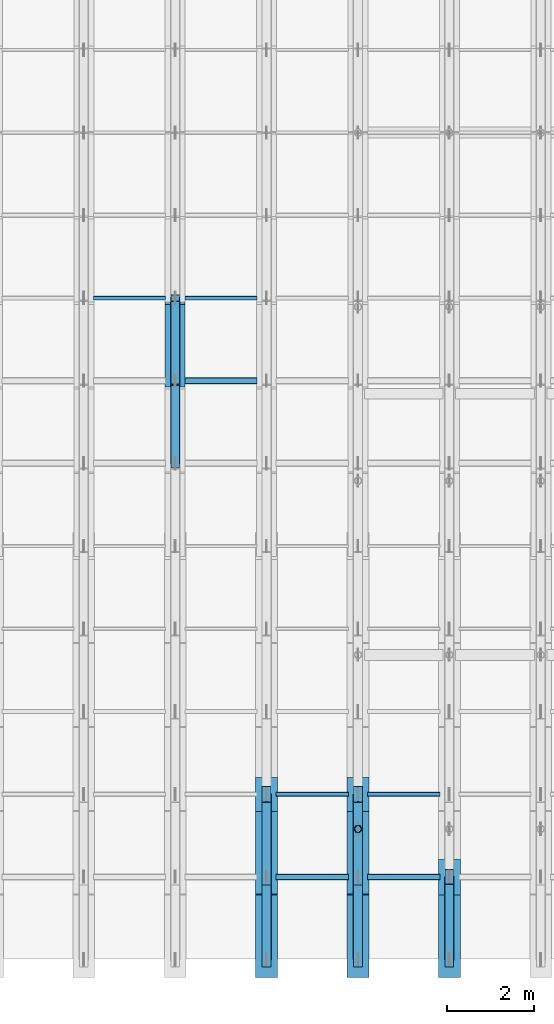
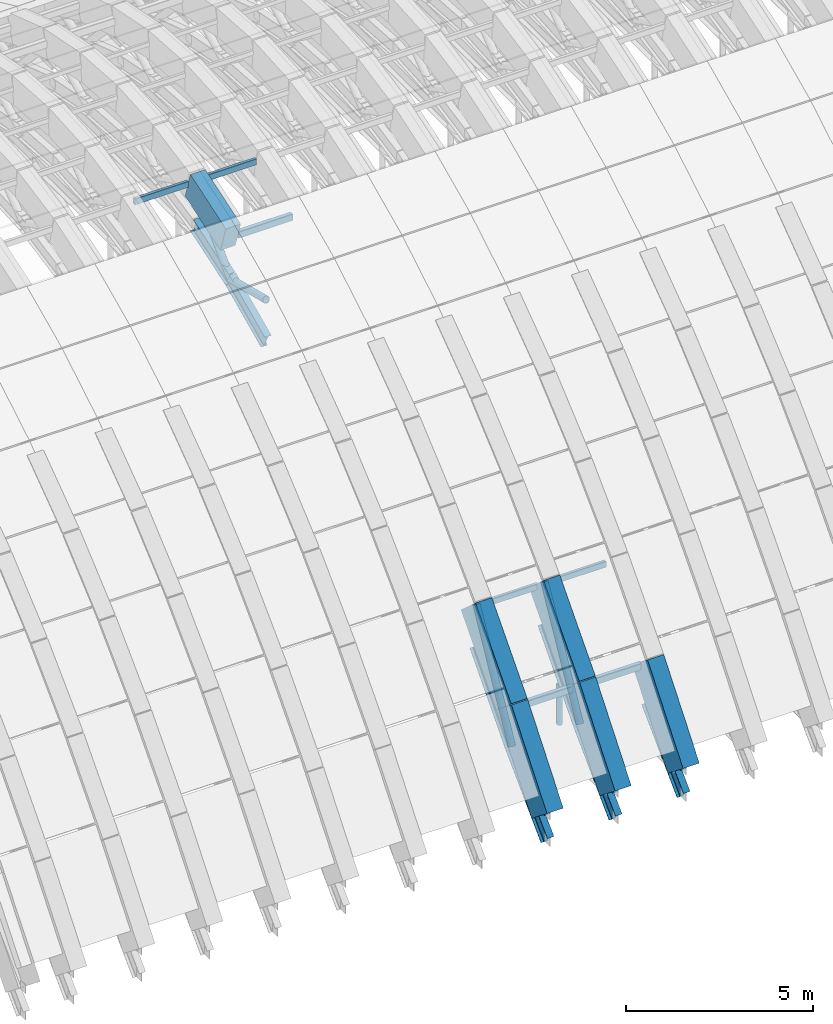
# One storey, part 5 of 67: 15 members, 13 beams.
"""IFC4 building model written with IfcOpenShell, lengths in metres."""

from ifc_helpers import new_model, si_unit, direction, frame, origin, origin_2d, place, context, subcontext, project, spatial, rectangle, hollow_rectangle, hollow_circle, i_section, extrude, material, material_profile, profile_set, type_object, element, save


model = new_model("IFC4")

# Units and contexts
model_context = context("Model", 3, precision=1e-05, world=origin(), true_north=direction((0.0, 1.0)))
body_context = subcontext(model_context, "Body", "Model", "MODEL_VIEW")
ifc_project = project(units=[si_unit("LENGTHUNIT", "METRE"), si_unit("AREAUNIT", "SQUARE_METRE"), si_unit("VOLUMEUNIT", "CUBIC_METRE"), si_unit("PLANEANGLEUNIT", "RADIAN"), si_unit("MASSUNIT", "GRAM", prefix="KILO")], contexts=[model_context])

# Site, building, storey
site_placement = place(None, origin())
site = spatial("IfcSite", under=ifc_project, at=site_placement, CompositionType="ELEMENT")
building_placement = place(site_placement, origin())
building = spatial("IfcBuilding", under=site, at=building_placement, Name="Shengluoqiao Park Theatre", CompositionType="ELEMENT")
storey_placement = place(building_placement, frame((0.0, 0.0, 28.60009765625)))
storey = spatial("IfcBuildingStorey", under=building, at=storey_placement, Name="Roof", CompositionType="ELEMENT", Elevation=28.60009765625)

# Beams
ifc_material_1 = material(Name="Concrete C50", Category="concrete")
ifc_material_profile_1 = material_profile(ifc_material_1, rectangle(XDim=0.4599609375, YDim=0.919921875, at=origin_2d()), Name="RC ARCH 460x920")
ifc_profile_set_1 = profile_set([ifc_material_profile_1], Name="Concrete C50")
beam_type_1 = type_object("IfcBeamType", Name="STR-BM-AR-4609", PredefinedType="BEAM", material=ifc_profile_set_1)
beam_1_placement = place(storey_placement, frame((59.10009765625, 89.300048828125, 1.44580078125), z_axis=(0.0, 0.949157901431, 0.314800378257), x_axis=(-1.0, 0.0, 0.0)))
element("IfcBeam", 1, at=beam_1_placement, inside=storey, type_object=beam_type_1, Name="Barrel-Shell Arch Rib R08-S08", PredefinedType="BEAM", context=body_context, shape_type="SweptSolid", body=[
    extrude(rectangle(XDim=0.4599609375, YDim=0.919921875, at=origin_2d()), origin(), (0.0, 0.0, 1.0), 2.001708984375),
])
ifc_material_profile_2 = material_profile(ifc_material_1, rectangle(XDim=0.5, YDim=1.050048828125, at=origin_2d()), Name="RC ARCH 500x1050")
ifc_profile_set_2 = profile_set([ifc_material_profile_2], Name="Concrete C50")
beam_type_2 = type_object("IfcBeamType", Name="STR-BM-AR-5010", PredefinedType="BEAM", material=ifc_profile_set_2)
beam_2_placement = place(storey_placement, frame((61.199951171875, 76.0, -10.02001953125), z_axis=(0.0, 0.621631409309, 0.783309894588), x_axis=(-1.0, 0.0, 0.0)))
element("IfcBeam", 2, at=beam_2_placement, inside=storey, type_object=beam_type_2, Name="Barrel-Shell Arch Rib R09-S01", PredefinedType="BEAM", context=body_context, shape_type="SweptSolid", body=[
    extrude(rectangle(XDim=0.5, YDim=1.050048828125, at=origin_2d()), origin(), (0.0, 0.0, 1.0), 3.056396484375),
])
beam_3_placement = place(storey_placement, frame((61.199951171875, 77.89990234375, -7.6259765625), z_axis=(0.0, 0.663638456789, 0.748053473136), x_axis=(-1.0, 0.0, 0.0)))
element("IfcBeam", 3, at=beam_3_placement, inside=storey, type_object=beam_type_2, Name="Barrel-Shell Arch Rib R09-S02", PredefinedType="BEAM", context=body_context, shape_type="SweptSolid", body=[
    extrude(rectangle(XDim=0.5, YDim=1.050048828125, at=origin_2d()), origin(), (0.0, 0.0, 1.0), 2.86328125),
])
beam_4_placement = place(storey_placement, frame((63.300048828125, 76.0, -10.02001953125), z_axis=(0.0, 0.621631409309, 0.783309894588), x_axis=(-1.0, 0.0, 0.0)))
element("IfcBeam", 4, at=beam_4_placement, inside=storey, type_object=beam_type_2, Name="Barrel-Shell Arch Rib R10-S01", PredefinedType="BEAM", context=body_context, shape_type="SweptSolid", body=[
    extrude(rectangle(XDim=0.5, YDim=1.050048828125, at=origin_2d()), origin(), (0.0, 0.0, 1.0), 3.056396484375),
])
beam_5_placement = place(storey_placement, frame((63.300048828125, 77.89990234375, -7.6259765625), z_axis=(0.0, 0.663638456789, 0.748053473136), x_axis=(-1.0, 0.0, 0.0)))
element("IfcBeam", 5, at=beam_5_placement, inside=storey, type_object=beam_type_2, Name="Barrel-Shell Arch Rib R10-S02", PredefinedType="BEAM", context=body_context, shape_type="SweptSolid", body=[
    extrude(rectangle(XDim=0.5, YDim=1.050048828125, at=origin_2d()), origin(), (0.0, 0.0, 1.0), 2.86328125),
])
beam_6_placement = place(storey_placement, frame((65.39990234375, 76.0, -10.02001953125), z_axis=(0.0, 0.621631409309, 0.783309894588), x_axis=(-1.0, 0.0, 0.0)))
element("IfcBeam", 6, at=beam_6_placement, inside=storey, type_object=beam_type_2, Name="Barrel-Shell Arch Rib R11-S01", PredefinedType="BEAM", context=body_context, shape_type="SweptSolid", body=[
    extrude(rectangle(XDim=0.5, YDim=1.050048828125, at=origin_2d()), origin(), (0.0, 0.0, 1.0), 3.056396484375),
])
ifc_material_2 = material(Name="Steel Q355", Category="steel")
ifc_material_profile_3 = material_profile(ifc_material_2, i_section(OverallWidth=0.199951171875, OverallDepth=0.5, WebThickness=0.010009765625, FlangeThickness=0.01611328125, FilletRadius=0.01806640625, at=origin_2d()), Name="HN 500x200x10x16")
ifc_profile_set_3 = profile_set([ifc_material_profile_3], Name="Steel Q355")
beam_type_3 = type_object("IfcBeamType", Name="STR-BM-J-HN500", PredefinedType="JOIST", material=ifc_profile_set_3)
beam_7_placement = place(storey_placement, frame((59.10009765625, 87.39990234375, -0.796142578125), z_axis=(0.0, 0.907032812412, 0.421059944911), x_axis=(-1.0, 0.0, 0.0)))
element("IfcBeam", 7, at=beam_7_placement, inside=storey, type_object=beam_type_3, Name="Barrel-Shell Lower Arch Chord R08-S07", PredefinedType="JOIST", context=body_context, shape_type="SweptSolid", body=[
    extrude(i_section(OverallWidth=0.199951171875, OverallDepth=0.5, WebThickness=0.010009765625, FlangeThickness=0.01611328125, FilletRadius=0.01806640625, at=origin_2d()), origin(), (0.0, 0.0, 1.0), 2.094970703125),
])
beam_8_placement = place(storey_placement, frame((59.10009765625, 89.300048828125, 0.0859375), z_axis=(0.0, 0.949194340043, 0.314690490531), x_axis=(-1.0, 0.0, 0.0)))
element("IfcBeam", 8, at=beam_8_placement, inside=storey, type_object=beam_type_3, Name="Barrel-Shell Lower Arch Chord R08-S08", PredefinedType="JOIST", context=body_context, shape_type="SweptSolid", body=[
    extrude(i_section(OverallWidth=0.199951171875, OverallDepth=0.5, WebThickness=0.010009765625, FlangeThickness=0.01611328125, FilletRadius=0.01806640625, at=origin_2d()), origin(), (0.0, 0.0, 1.0), 2.001708984375),
])
beam_9_placement = place(storey_placement, frame((61.199951171875, 76.0, -10.880126953125), z_axis=(0.0, 0.708197993403, 0.706013882398), x_axis=(-1.0, 0.0, 0.0)))
element("IfcBeam", 9, at=beam_9_placement, inside=storey, type_object=beam_type_3, Name="Barrel-Shell Lower Arch Chord R09-S01", PredefinedType="JOIST", context=body_context, shape_type="SweptSolid", body=[
    extrude(i_section(OverallWidth=0.199951171875, OverallDepth=0.5, WebThickness=0.010009765625, FlangeThickness=0.01611328125, FilletRadius=0.01806640625, at=origin_2d()), origin(), (0.0, 0.0, 1.0), 2.6826171875),
])
beam_10_placement = place(storey_placement, frame((61.199951171875, 77.89990234375, -8.986083984375), z_axis=(0.0, 0.663596128385, 0.748091022799), x_axis=(-1.0, 0.0, 0.0)))
element("IfcBeam", 10, at=beam_10_placement, inside=storey, type_object=beam_type_3, Name="Barrel-Shell Lower Arch Chord R09-S02", PredefinedType="JOIST", context=body_context, shape_type="SweptSolid", body=[
    extrude(i_section(OverallWidth=0.199951171875, OverallDepth=0.5, WebThickness=0.010009765625, FlangeThickness=0.01611328125, FilletRadius=0.01806640625, at=origin_2d()), origin(), (0.0, 0.0, 1.0), 2.863525390625),
])
beam_11_placement = place(storey_placement, frame((63.300048828125, 76.0, -10.880126953125), z_axis=(0.0, 0.708197993403, 0.706013882398), x_axis=(-1.0, 0.0, 0.0)))
element("IfcBeam", 11, at=beam_11_placement, inside=storey, type_object=beam_type_3, Name="Barrel-Shell Lower Arch Chord R10-S01", PredefinedType="JOIST", context=body_context, shape_type="SweptSolid", body=[
    extrude(i_section(OverallWidth=0.199951171875, OverallDepth=0.5, WebThickness=0.010009765625, FlangeThickness=0.01611328125, FilletRadius=0.01806640625, at=origin_2d()), origin(), (0.0, 0.0, 1.0), 2.6826171875),
])
beam_12_placement = place(storey_placement, frame((63.300048828125, 77.89990234375, -8.986083984375), z_axis=(0.0, 0.663596128385, 0.748091022799), x_axis=(-1.0, 0.0, 0.0)))
element("IfcBeam", 12, at=beam_12_placement, inside=storey, type_object=beam_type_3, Name="Barrel-Shell Lower Arch Chord R10-S02", PredefinedType="JOIST", context=body_context, shape_type="SweptSolid", body=[
    extrude(i_section(OverallWidth=0.199951171875, OverallDepth=0.5, WebThickness=0.010009765625, FlangeThickness=0.01611328125, FilletRadius=0.01806640625, at=origin_2d()), origin(), (0.0, 0.0, 1.0), 2.863525390625),
])
beam_13_placement = place(storey_placement, frame((65.39990234375, 76.0, -10.880126953125), z_axis=(0.0, 0.708197993403, 0.706013882398), x_axis=(-1.0, 0.0, 0.0)))
element("IfcBeam", 13, at=beam_13_placement, inside=storey, type_object=beam_type_3, Name="Barrel-Shell Lower Arch Chord R11-S01", PredefinedType="JOIST", context=body_context, shape_type="SweptSolid", body=[
    extrude(i_section(OverallWidth=0.199951171875, OverallDepth=0.5, WebThickness=0.010009765625, FlangeThickness=0.01611328125, FilletRadius=0.01806640625, at=origin_2d()), origin(), (0.0, 0.0, 1.0), 2.6826171875),
])

# Members
ifc_material_profile_4 = material_profile(ifc_material_2, hollow_circle(Radius=0.109619140625, WallThickness=0.010009765625, at=origin_2d()), Name="CHS 219x10")
ifc_profile_set_4 = profile_set([ifc_material_profile_4], Name="Steel Q355")
member_type_1 = type_object("IfcMemberType", Name="STR-MEM-BRC-219", PredefinedType="BRACE", material=ifc_profile_set_4)
member_1_placement = place(storey_placement, frame((59.10009765625, 87.39990234375, 0.56396484375), z_axis=(0.0, 0.96978228772, -0.243971954176), x_axis=(-1.0, 0.0, 0.0)))
element("IfcMember", 14, at=member_1_placement, inside=storey, type_object=member_type_1, Name="Barrel-Shell Arch Truss Web 0147", PredefinedType="BRACE", context=body_context, shape_type="SweptSolid", body=[
    extrude(hollow_circle(Radius=0.109619140625, WallThickness=0.010009765625, at=origin_2d()), origin(), (0.0, 0.0, 1.0), 1.95947265625),
])
member_2_placement = place(storey_placement, frame((59.10009765625, 89.300048828125, 0.0859375), z_axis=(0.0, 0.690545389436, 0.723289060562), x_axis=(-1.0, 0.0, 0.0)))
element("IfcMember", 15, at=member_2_placement, inside=storey, type_object=member_type_1, Name="Barrel-Shell Arch Truss Web 0148", PredefinedType="BRACE", context=body_context, shape_type="SweptSolid", body=[
    extrude(hollow_circle(Radius=0.109619140625, WallThickness=0.010009765625, at=origin_2d()), origin(), (0.0, 0.0, 1.0), 2.751220703125),
])
member_3_placement = place(storey_placement, frame((61.199951171875, 76.0, -10.02001953125), z_axis=(0.0, 0.878356711208, 0.478005740422), x_axis=(-1.0, 0.0, 0.0)))
element("IfcMember", 16, at=member_3_placement, inside=storey, type_object=member_type_1, Name="Barrel-Shell Arch Truss Web 0161", PredefinedType="BRACE", context=body_context, shape_type="SweptSolid", body=[
    extrude(hollow_circle(Radius=0.109619140625, WallThickness=0.010009765625, at=origin_2d()), origin(), (0.0, 0.0, 1.0), 2.1630859375),
])
member_4_placement = place(storey_placement, frame((61.199951171875, 77.89990234375, -8.986083984375), z_axis=(0.0, 0.476914707828, 0.87894957845), x_axis=(-1.0, 0.0, 0.0)))
element("IfcMember", 17, at=member_4_placement, inside=storey, type_object=member_type_1, Name="Barrel-Shell Arch Truss Web 0162", PredefinedType="BRACE", context=body_context, shape_type="SweptSolid", body=[
    extrude(hollow_circle(Radius=0.109619140625, WallThickness=0.010009765625, at=origin_2d()), origin(), (0.0, 0.0, 1.0), 3.984130859375),
])
member_5_placement = place(storey_placement, frame((63.300048828125, 76.0, -10.02001953125), z_axis=(0.0, 0.878356711208, 0.478005740422), x_axis=(-1.0, 0.0, 0.0)))
element("IfcMember", 18, at=member_5_placement, inside=storey, type_object=member_type_1, Name="Barrel-Shell Arch Truss Web 0181", PredefinedType="BRACE", context=body_context, shape_type="SweptSolid", body=[
    extrude(hollow_circle(Radius=0.109619140625, WallThickness=0.010009765625, at=origin_2d()), origin(), (0.0, 0.0, 1.0), 2.1630859375),
])
member_6_placement = place(storey_placement, frame((63.300048828125, 77.89990234375, -8.986083984375), z_axis=(0.0, 0.476914707828, 0.87894957845), x_axis=(-1.0, 0.0, 0.0)))
element("IfcMember", 19, at=member_6_placement, inside=storey, type_object=member_type_1, Name="Barrel-Shell Arch Truss Web 0182", PredefinedType="BRACE", context=body_context, shape_type="SweptSolid", body=[
    extrude(hollow_circle(Radius=0.109619140625, WallThickness=0.010009765625, at=origin_2d()), origin(), (0.0, 0.0, 1.0), 3.984130859375),
])
member_7_placement = place(storey_placement, frame((65.39990234375, 76.0, -10.02001953125), z_axis=(0.0, 0.878356711208, 0.478005740422), x_axis=(-1.0, 0.0, 0.0)))
element("IfcMember", 20, at=member_7_placement, inside=storey, type_object=member_type_1, Name="Barrel-Shell Arch Truss Web 0201", PredefinedType="BRACE", context=body_context, shape_type="SweptSolid", body=[
    extrude(hollow_circle(Radius=0.109619140625, WallThickness=0.010009765625, at=origin_2d()), origin(), (0.0, 0.0, 1.0), 2.1630859375),
])
ifc_material_profile_5 = material_profile(ifc_material_2, hollow_rectangle(XDim=0.10009765625, YDim=0.199951171875, WallThickness=0.008056640625, InnerFilletRadius=0.008056640625, OuterFilletRadius=0.01611328125, at=origin_2d()), Name="RHS 200x100x8")
ifc_profile_set_5 = profile_set([ifc_material_profile_5], Name="Steel Q355")
member_type_2 = type_object("IfcMemberType", Name="STR-MEM-PU-R200", PredefinedType="PURLIN", material=ifc_profile_set_5)
for number, where, z_axis, x_axis, name in (
    (21, (57.219970703125, 91.199951171875, 2.1259765625), (1.0, 0.0, 0.0), (0.0, 1.0, 0.0), "Shell Longitudinal Purlin 0122"),
    (22, (59.320068359375, 91.199951171875, 2.1259765625), (1.0, 0.0, 0.0), (0.0, 1.0, 0.0), "Shell Longitudinal Purlin 0141"),
):
    element("IfcMember", number, at=place(storey_placement, frame(where, z_axis=z_axis, x_axis=x_axis)), inside=storey, type_object=member_type_2, Name=name, PredefinedType="PURLIN", context=body_context, shape_type="SweptSolid", body=[
        extrude(hollow_rectangle(XDim=0.10009765625, YDim=0.199951171875, WallThickness=0.008056640625, InnerFilletRadius=0.008056640625, OuterFilletRadius=0.01611328125, at=origin_2d()), origin(), (0.0, 0.0, 1.0), 1.659912109375),
    ])
member_8_placement = place(storey_placement, frame((61.419921875, 79.800048828125, -5.564208984375), z_axis=(1.0, 0.0, 0.0), x_axis=(0.0, 1.0, 0.0)))
element("IfcMember", 23, at=member_8_placement, inside=storey, type_object=member_type_2, Name="Shell Longitudinal Purlin 0154", PredefinedType="PURLIN", context=body_context, shape_type="SweptSolid", body=[
    extrude(hollow_rectangle(XDim=0.10009765625, YDim=0.199951171875, WallThickness=0.008056640625, InnerFilletRadius=0.008056640625, OuterFilletRadius=0.01611328125, at=origin_2d()), origin(), (0.0, 0.0, 1.0), 1.66015625),
])
member_9_placement = place(storey_placement, frame((63.52001953125, 79.800048828125, -5.564208984375), z_axis=(1.0, 0.0, 0.0), x_axis=(0.0, 1.0, 0.0)))
element("IfcMember", 24, at=member_9_placement, inside=storey, type_object=member_type_2, Name="Shell Longitudinal Purlin 0173", PredefinedType="PURLIN", context=body_context, shape_type="SweptSolid", body=[
    extrude(hollow_rectangle(XDim=0.10009765625, YDim=0.199951171875, WallThickness=0.008056640625, InnerFilletRadius=0.008056640625, OuterFilletRadius=0.01611328125, at=origin_2d()), origin(), (0.0, 0.0, 1.0), 1.659912109375),
])
ifc_material_profile_6 = material_profile(ifc_material_2, hollow_rectangle(XDim=0.139892578125, YDim=0.219970703125, WallThickness=0.010009765625, InnerFilletRadius=0.010009765625, OuterFilletRadius=0.02001953125, at=origin_2d()), Name="RHS 220x140x10")
ifc_profile_set_6 = profile_set([ifc_material_profile_6], Name="Steel Q355")
member_type_3 = type_object("IfcMemberType", Name="STR-MEM-PU-R220", PredefinedType="PURLIN", material=ifc_profile_set_6)
member_10_placement = place(storey_placement, frame((59.320068359375, 89.300048828125, 1.475830078125), z_axis=(1.0, 0.0, 0.0), x_axis=(0.0, 1.0, 0.0)))
element("IfcMember", 25, at=member_10_placement, inside=storey, type_object=member_type_3, Name="Shell Longitudinal Purlin 0140", PredefinedType="PURLIN", context=body_context, shape_type="SweptSolid", body=[
    extrude(hollow_rectangle(XDim=0.139892578125, YDim=0.219970703125, WallThickness=0.010009765625, InnerFilletRadius=0.010009765625, OuterFilletRadius=0.02001953125, at=origin_2d()), origin(), (0.0, 0.0, 1.0), 1.659912109375),
])
member_11_placement = place(storey_placement, frame((61.419921875, 77.89990234375, -7.736083984375), z_axis=(1.0, 0.0, 0.0), x_axis=(0.0, 1.0, 0.0)))
element("IfcMember", 26, at=member_11_placement, inside=storey, type_object=member_type_3, Name="Shell Longitudinal Purlin 0153", PredefinedType="PURLIN", context=body_context, shape_type="SweptSolid", body=[
    extrude(hollow_rectangle(XDim=0.139892578125, YDim=0.219970703125, WallThickness=0.010009765625, InnerFilletRadius=0.010009765625, OuterFilletRadius=0.02001953125, at=origin_2d()), origin(), (0.0, 0.0, 1.0), 1.66015625),
])
member_12_placement = place(storey_placement, frame((63.52001953125, 77.89990234375, -7.736083984375), z_axis=(1.0, 0.0, 0.0), x_axis=(0.0, 1.0, 0.0)))
element("IfcMember", 27, at=member_12_placement, inside=storey, type_object=member_type_3, Name="Shell Longitudinal Purlin 0172", PredefinedType="PURLIN", context=body_context, shape_type="SweptSolid", body=[
    extrude(hollow_rectangle(XDim=0.139892578125, YDim=0.219970703125, WallThickness=0.010009765625, InnerFilletRadius=0.010009765625, OuterFilletRadius=0.02001953125, at=origin_2d()), origin(), (0.0, 0.0, 1.0), 1.659912109375),
])
ifc_material_profile_7 = material_profile(ifc_material_2, hollow_circle(Radius=0.083984375, WallThickness=0.008056640625, at=origin_2d()), Name="CHS 168x8")
ifc_profile_set_7 = profile_set([ifc_material_profile_7], Name="Steel Q355")
member_type_4 = type_object("IfcMemberType", Name="STR-MEM-STC-168", PredefinedType="STRUT", material=ifc_profile_set_7)
member_13_placement = place(storey_placement, frame((63.300048828125, 79.0, -9.650146484375), z_axis=(0.0, 0.0, 1.0), x_axis=(1.0, 0.0, 0.0)))
element("IfcMember", 28, at=member_13_placement, inside=storey, type_object=member_type_4, Name="Acoustic Tie Truss Strut 0001", PredefinedType="STRUT", context=body_context, shape_type="SweptSolid", body=[
    extrude(hollow_circle(Radius=0.083984375, WallThickness=0.008056640625, at=origin_2d()), origin(), (0.0, 0.0, 1.0), 1.300048828125),
])

save(model, "model.ifc")
